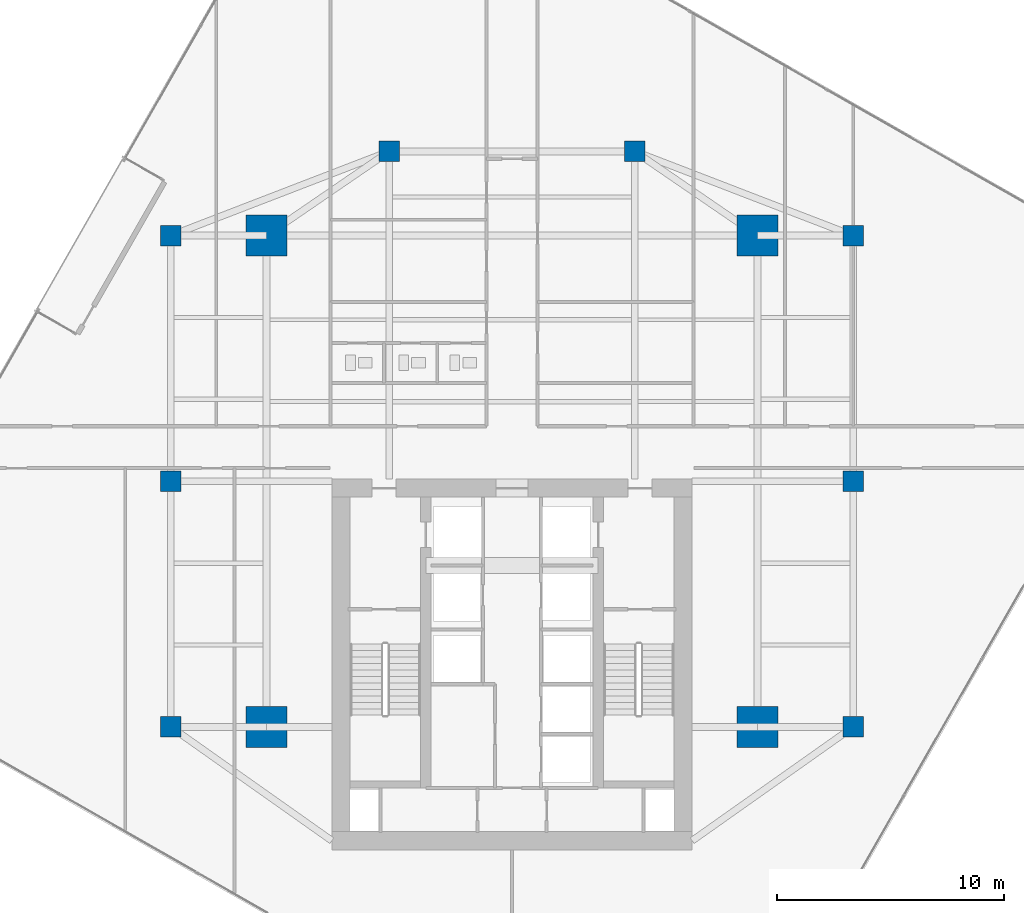
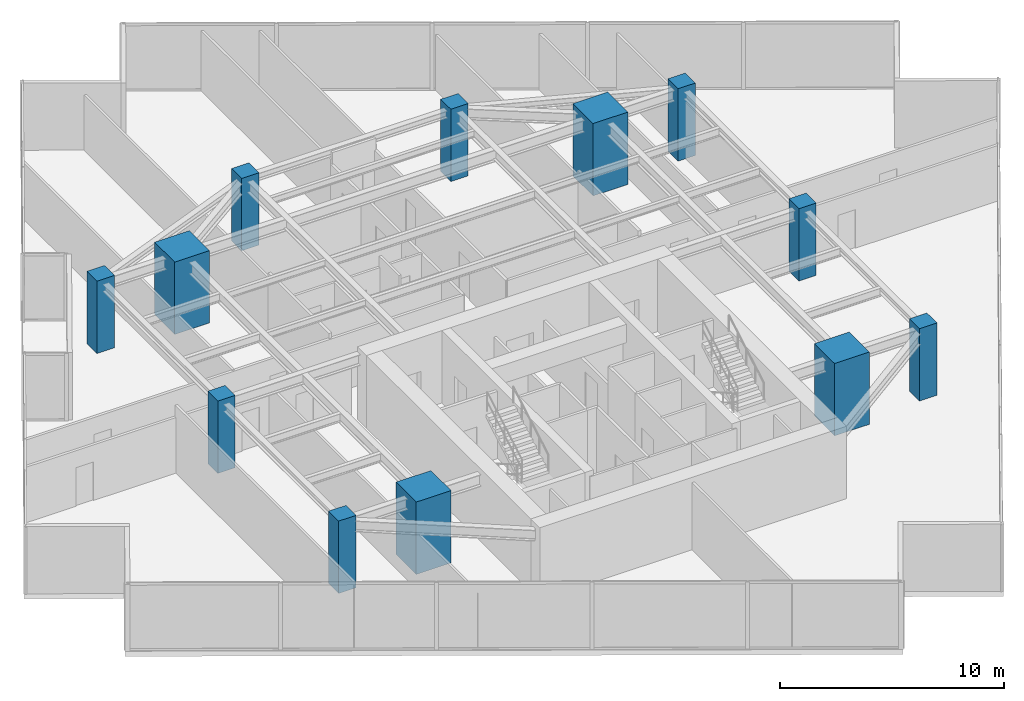
# One storey, part 1 of 24: 12 columns.
"""IFC4 building model written with IfcOpenShell, lengths in metres."""

from ifc_helpers import new_model, si_unit, direction, frame, origin, origin_2d, place, context, subcontext, project, spatial, rectangle, extrude, source, transform, mapped, material, material_profile, profile_set, type_object, type_shapes, element, save


model = new_model("IFC4")

# Units and contexts
model_context = context("Model", 3, precision=1e-05, world=origin(), true_north=direction((0.0, 1.0)))
body_context = subcontext(model_context, "Body", "Model", "MODEL_VIEW")
ifc_project = project(units=[si_unit("LENGTHUNIT", "METRE"), si_unit("AREAUNIT", "SQUARE_METRE"), si_unit("VOLUMEUNIT", "CUBIC_METRE"), si_unit("PLANEANGLEUNIT", "RADIAN"), si_unit("MASSUNIT", "GRAM", prefix="KILO")], contexts=[model_context])

# Site, building, storey
site_placement = place(None, origin())
site = spatial("IfcSite", under=ifc_project, at=site_placement, CompositionType="ELEMENT")
building_placement = place(site_placement, origin())
building = spatial("IfcBuilding", under=site, at=building_placement, Name="Krantzveldt Concourse Tower", CompositionType="ELEMENT")
storey_placement = place(building_placement, frame((0.0, 0.0, 169.89990234375)))
storey = spatial("IfcBuildingStorey", under=building, at=storey_placement, Name="L41", CompositionType="ELEMENT", Elevation=169.89990234375)

# Columns
ifc_material = material(Name="Concrete C50/60", Category="concrete")
ifc_material_profile_1 = material_profile(ifc_material, rectangle(XDim=1.800048828125, YDim=1.800048828125, at=origin_2d()), Name="Concrete C50/60", Category="concrete")
ifc_profile_set_1 = profile_set([ifc_material_profile_1], Name="Concrete C50/60 - RC 1800x1800")
column_type_1 = type_object("IfcColumnType", Name="COL-MC-1800", PredefinedType="USERDEFINED", material=ifc_profile_set_1)
shared_shape_1 = source(origin(), body_context, "Body", "SweptSolid", [
    extrude(rectangle(XDim=1.800048828125, YDim=1.800048828125, at=origin_2d()), origin(), (0.0, 0.0, 1.0), 3.9501953125),
])
type_shapes(column_type_1, [shared_shape_1])
for number, where, z_axis, x_axis, name in (
    (1, (25.199951171875, 15.89990234375, 0.0), (0.0, 0.0, 1.0), (1.0, 0.0, 0.0), "MC-SW-L41"),
    (2, (46.800048828125, 15.89990234375, 0.0), (0.0, 0.0, 1.0), (1.0, 0.0, 0.0), "MC-SE-L41"),
    (3, (46.800048828125, 37.5, 0.0), (0.0, 0.0, 1.0), (1.0, 0.0, 0.0), "MC-NE-L41"),
    (4, (25.199951171875, 37.5, 0.0), (0.0, 0.0, 1.0), (1.0, 0.0, 0.0), "MC-NW-L41"),
):
    element("IfcColumn", number, at=place(storey_placement, frame(where, z_axis=z_axis, x_axis=x_axis)), inside=storey, type_object=column_type_1, Name=name, ObjectType="MEGA COLUMN", PredefinedType="USERDEFINED", context=body_context, shape_type="MappedRepresentation", body=[
        mapped(shared_shape_1, transform((0.0, 0.0, 0.0), x_axis=(1.0, 0.0, 0.0), y_axis=(0.0, 1.0, 0.0), z_axis=(0.0, 0.0, 1.0), scale=1.0)),
    ])
ifc_material_profile_2 = material_profile(ifc_material, rectangle(XDim=0.89990234375, YDim=0.89990234375, at=origin_2d()), Name="Concrete C50/60", Category="concrete")
ifc_profile_set_2 = profile_set([ifc_material_profile_2], Name="Concrete C50/60 - RC 900x900")
column_type_2 = type_object("IfcColumnType", Name="COL-C-Z3", PredefinedType="COLUMN", material=ifc_profile_set_2)
shared_shape_2 = source(origin(), body_context, "Body", "SweptSolid", [
    extrude(rectangle(XDim=0.89990234375, YDim=0.89990234375, at=origin_2d()), origin(), (0.0, 0.0, 1.0), 3.9501953125),
])
type_shapes(column_type_2, [shared_shape_2])
for number, where, z_axis, x_axis, name in (
    (5, (21.0, 15.89990234375, 0.0), (0.0, 0.0, 1.0), (1.0, 0.0, 0.0), "PC-R01-L41"),
    (6, (21.0, 26.699951171875, 0.0), (0.0, 0.0, 1.0), (1.0, 0.0, 0.0), "PC-R02-L41"),
    (7, (21.0, 37.5, 0.0), (0.0, 0.0, 1.0), (1.0, 0.0, 0.0), "PC-R03-L41"),
    (8, (30.60009765625, 41.199951171875, 0.0), (0.0, 0.0, 1.0), (1.0, 0.0, 0.0), "PC-R04-L41"),
    (9, (41.39990234375, 41.199951171875, 0.0), (0.0, 0.0, 1.0), (1.0, 0.0, 0.0), "PC-R05-L41"),
    (10, (51.0, 37.5, 0.0), (0.0, 0.0, 1.0), (1.0, 0.0, 0.0), "PC-R06-L41"),
    (11, (51.0, 26.699951171875, 0.0), (0.0, 0.0, 1.0), (1.0, 0.0, 0.0), "PC-R07-L41"),
    (12, (51.0, 15.89990234375, 0.0), (0.0, 0.0, 1.0), (1.0, 0.0, 0.0), "PC-R08-L41"),
):
    element("IfcColumn", number, at=place(storey_placement, frame(where, z_axis=z_axis, x_axis=x_axis)), inside=storey, type_object=column_type_2, Name=name, PredefinedType="COLUMN", context=body_context, shape_type="MappedRepresentation", body=[
        mapped(shared_shape_2, transform((0.0, 0.0, 0.0), x_axis=(1.0, 0.0, 0.0), y_axis=(0.0, 1.0, 0.0), z_axis=(0.0, 0.0, 1.0), scale=1.0)),
    ])

save(model, "model.ifc")
